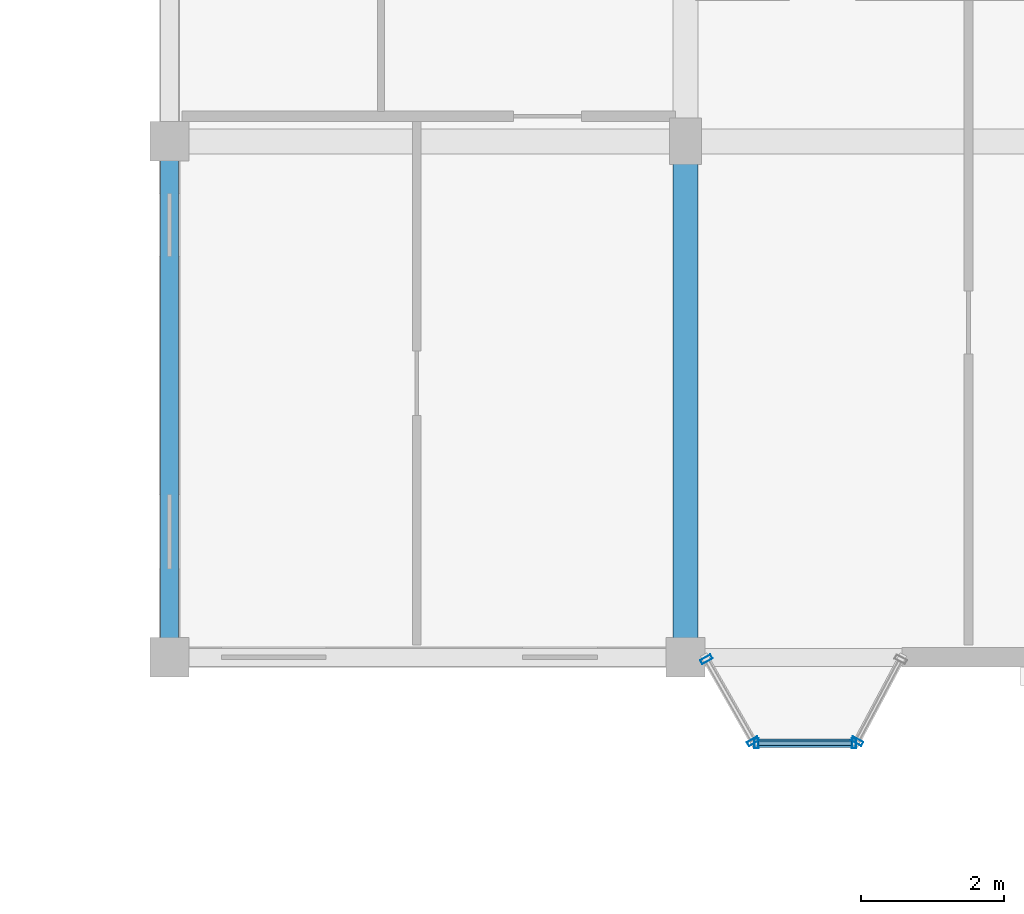
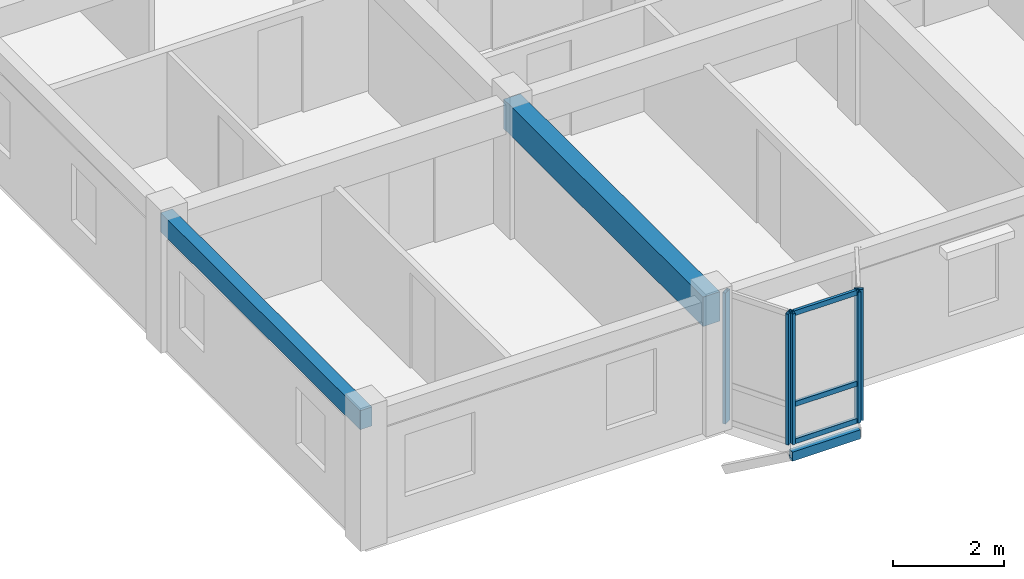
# One storey, part 32 of 77: 9 members, 2 beams, 3 elements without a shape of their own.
"""IFC4 building model written with IfcOpenShell, lengths in metres."""

from ifc_helpers import new_model, si_unit, direction, frame, origin, origin_2d, place, context, subcontext, project, spatial, rectangle, hollow_rectangle, extrude, material, layer, layer_set, material_profile, profile_set, type_object, element, aggregate, save


model = new_model("IFC4")

# Units and contexts
model_context = context("Model", 3, precision=1e-05, world=origin(), true_north=direction((0.0, 1.0)))
body_context = subcontext(model_context, "Body", "Model", "MODEL_VIEW")
ifc_project = project(units=[si_unit("LENGTHUNIT", "METRE"), si_unit("AREAUNIT", "SQUARE_METRE"), si_unit("VOLUMEUNIT", "CUBIC_METRE"), si_unit("PLANEANGLEUNIT", "RADIAN"), si_unit("MASSUNIT", "GRAM", prefix="KILO"), si_unit("THERMODYNAMICTEMPERATUREUNIT", "KELVIN"), si_unit("POWERUNIT", "WATT")], contexts=[model_context])

# Site, building, storey
site_placement = place(None, origin())
site = spatial("IfcSite", under=ifc_project, at=site_placement, CompositionType="ELEMENT")
building_placement = place(site_placement, origin())
building = spatial("IfcBuilding", under=site, at=building_placement, Name="Tavuni Mirador Residences", CompositionType="ELEMENT")
storey_placement = place(building_placement, frame((0.0, 0.0, 10.800048828125)))
storey = spatial("IfcBuildingStorey", under=building, at=storey_placement, Name="L03", CompositionType="ELEMENT", Elevation=10.800048828125)

# Beams
ifc_material_1 = material(Name="Precast concrete C40/50", Category="concrete")
ifc_material_profile_1 = material_profile(ifc_material_1, rectangle(XDim=0.35009765625, YDim=0.64990234375, at=origin_2d()), Name="PC 350x650", Category="concrete")
ifc_profile_set_1 = profile_set([ifc_material_profile_1], Name="Precast concrete C40/50")
beam_type_1 = type_object("IfcBeamType", Name="BT-B650", PredefinedType="BEAM", material=ifc_profile_set_1)
beam_1_placement = place(storey_placement, frame((18.0, 144.0, 2.56005859375), z_axis=(0.0, 1.0, 0.0), x_axis=(-1.0, 0.0, 0.0)))
element("IfcBeam", 1, at=beam_1_placement, inside=storey, type_object=beam_type_1, Name="BMY-BLK-C-L03-01-00", PredefinedType="BEAM", context=body_context, shape_type="SweptSolid", body=[
    extrude(rectangle(XDim=0.35009765625, YDim=0.64990234375, at=origin_2d()), origin(), (0.0, 0.0, 1.0), 7.199951171875),
])
ifc_material_profile_2 = material_profile(ifc_material_1, rectangle(XDim=0.25, YDim=0.419921875, at=origin_2d()), Name="PC 250x420", Category="concrete")
ifc_profile_set_2 = profile_set([ifc_material_profile_2], Name="Precast concrete C40/50")
beam_type_2 = type_object("IfcBeamType", Name="BT-SP420", PredefinedType="SPANDREL", material=ifc_profile_set_2)
beam_2_placement = place(storey_placement, frame((10.800048828125, 144.0, 2.675048828125), z_axis=(0.0, 1.0, 0.0), x_axis=(-1.0, 0.0, 0.0)))
element("IfcBeam", 2, at=beam_2_placement, inside=storey, type_object=beam_type_2, Name="BMY-BLK-C-L03-00-00", PredefinedType="SPANDREL", context=body_context, shape_type="SweptSolid", body=[
    extrude(rectangle(XDim=0.25, YDim=0.419921875, at=origin_2d()), origin(), (0.0, 0.0, 1.0), 7.199951171875),
])

# Curtain wall, members
ifc_material_2 = material(Name="Anodised aluminium", Category="aluminium")
ifc_layer_1 = layer(ifc_material_2, 0.1650390625, Name="Anodised aluminium", Category="aluminium")
ifc_layer_set_1 = layer_set([ifc_layer_1], Name="Anodised aluminium")
curtain_wall_type_1 = type_object("IfcCurtainWallType", Name="CWT-MIR-A", PredefinedType="NOTDEFINED", material=ifc_layer_set_1)
curtain_wall_1_placement = place(storey_placement, origin())
curtain_wall_1 = element("IfcCurtainWall", 3, at=curtain_wall_1_placement, inside=storey, type_object=curtain_wall_type_1, Name="CW-MIR-C-S1-L03-MF", PredefinedType="NOTDEFINED")
ifc_material_profile_3 = material_profile(ifc_material_2, hollow_rectangle(XDim=0.06005859375, YDim=0.139892578125, WallThickness=0.00390625, at=origin_2d()), Name="ALU 60x140x4.0", Category="aluminium")
ifc_profile_set_3 = profile_set([ifc_material_profile_3], Name="Anodised aluminium")
member_type_1 = type_object("IfcMemberType", Name="CWM-140", PredefinedType="MULLION", material=ifc_profile_set_3)
member_1_placement = place(storey_placement, frame((18.989990234375, 142.800048828125, 0.0), z_axis=(0.0, 0.0, 1.0), x_axis=(1.0, 0.0, 0.0)))
member_1 = element("IfcMember", 4, at=member_1_placement, type_object=member_type_1, Name="CW-01 mullion 1", PredefinedType="MULLION", context=body_context, shape_type="SweptSolid", body=[
    extrude(hollow_rectangle(XDim=0.06005859375, YDim=0.139892578125, WallThickness=0.00390625, at=origin_2d()), origin(), (0.0, 0.0, 1.0), 2.885009765625),
])
member_2_placement = place(storey_placement, frame((20.35009765625, 142.800048828125, 0.0), z_axis=(0.0, 0.0, 1.0), x_axis=(1.0, 0.0, 0.0)))
member_2 = element("IfcMember", 5, at=member_2_placement, type_object=member_type_1, Name="CW-01 mullion 2", PredefinedType="MULLION", context=body_context, shape_type="SweptSolid", body=[
    extrude(hollow_rectangle(XDim=0.06005859375, YDim=0.139892578125, WallThickness=0.00390625, at=origin_2d()), origin(), (0.0, 0.0, 1.0), 2.885009765625),
])

ifc_layer_2 = layer(ifc_material_2, 0.159912109375, Name="Anodised aluminium", Category="aluminium")
ifc_layer_set_2 = layer_set([ifc_layer_2], Name="Anodised aluminium")
curtain_wall_type_2 = type_object("IfcCurtainWallType", Name="CWT-MIR-D", PredefinedType="NOTDEFINED", material=ifc_layer_set_2)
curtain_wall_2_placement = place(storey_placement, origin())
curtain_wall_2 = element("IfcCurtainWall", 6, at=curtain_wall_2_placement, inside=storey, type_object=curtain_wall_type_2, Name="CW-MIR-C-S1-L03-M1", PredefinedType="NOTDEFINED")
ifc_material_profile_4 = material_profile(ifc_material_2, hollow_rectangle(XDim=0.06494140625, YDim=0.1650390625, WallThickness=0.00439453125, at=origin_2d()), Name="ALU 65x165x4.5", Category="aluminium")
ifc_profile_set_4 = profile_set([ifc_material_profile_4], Name="Anodised aluminium")
member_type_2 = type_object("IfcMemberType", Name="CWM-165", PredefinedType="MULLION", material=ifc_profile_set_4)
member_3_placement = place(storey_placement, frame((18.291015625, 143.9716796875, 0.0), z_axis=(0.0, 0.0, 1.0), x_axis=(0.495749192217, -0.868465738194, 0.0)))
member_3 = element("IfcMember", 7, at=member_3_placement, type_object=member_type_2, Name="CW-04 mullion 1", PredefinedType="MULLION", context=body_context, shape_type="SweptSolid", body=[
    extrude(hollow_rectangle(XDim=0.06494140625, YDim=0.1650390625, WallThickness=0.00439453125, at=origin_2d()), origin(), (0.0, 0.0, 1.0), 2.885009765625),
])
member_4_placement = place(storey_placement, frame((18.94384765625, 142.828125, 0.0), z_axis=(0.0, 0.0, 1.0), x_axis=(0.495749192217, -0.868465738194, 0.0)))
member_4 = element("IfcMember", 8, at=member_4_placement, type_object=member_type_2, Name="CW-04 mullion 2", PredefinedType="MULLION", context=body_context, shape_type="SweptSolid", body=[
    extrude(hollow_rectangle(XDim=0.06494140625, YDim=0.1650390625, WallThickness=0.00439453125, at=origin_2d()), origin(), (0.0, 0.0, 1.0), 2.885009765625),
])
aggregate(curtain_wall_2, [member_3, member_4])

# Curtain wall, member
ifc_layer_3 = layer(ifc_material_2, 0.14990234375, Name="Anodised aluminium", Category="aluminium")
ifc_layer_set_3 = layer_set([ifc_layer_3], Name="Anodised aluminium")
curtain_wall_type_3 = type_object("IfcCurtainWallType", Name="CWT-MIR-B", PredefinedType="NOTDEFINED", material=ifc_layer_set_3)
curtain_wall_3_placement = place(storey_placement, origin())
curtain_wall_3 = element("IfcCurtainWall", 9, at=curtain_wall_3_placement, inside=storey, type_object=curtain_wall_type_3, Name="CW-MIR-C-S1-L03-M2", PredefinedType="NOTDEFINED")
member_5_placement = place(storey_placement, frame((20.395263671875, 142.82861328125, 0.0), z_axis=(0.0, 0.0, 1.0), x_axis=(0.470588235296, 0.882352941175, 0.0)))
member_5 = element("IfcMember", 10, at=member_5_placement, type_object=member_type_2, Name="CW-02 mullion 1", PredefinedType="MULLION", context=body_context, shape_type="SweptSolid", body=[
    extrude(hollow_rectangle(XDim=0.06494140625, YDim=0.1650390625, WallThickness=0.00439453125, at=origin_2d()), origin(), (0.0, 0.0, 1.0), 2.885009765625),
])
aggregate(curtain_wall_3, [member_5])

# Member
ifc_material_profile_5 = material_profile(ifc_material_2, hollow_rectangle(XDim=0.06005859375, YDim=0.110107421875, WallThickness=0.00390625, at=origin_2d()), Name="ALU 60x110x4.0", Category="aluminium")
ifc_profile_set_5 = profile_set([ifc_material_profile_5], Name="Anodised aluminium")
member_type_3 = type_object("IfcMemberType", Name="CWT-110", PredefinedType="USERDEFINED", material=ifc_profile_set_5)
member_6_placement = place(storey_placement, frame((19.02001953125, 142.800048828125, 0.030029296875), z_axis=(1.0, 0.0, 0.0), x_axis=(0.0, 1.0, 0.0)))
member_6 = element("IfcMember", 11, at=member_6_placement, type_object=member_type_3, Name="CW-01 transom 1.1", ObjectType="TRANSOM", PredefinedType="USERDEFINED", context=body_context, shape_type="SweptSolid", body=[
    extrude(hollow_rectangle(XDim=0.06005859375, YDim=0.110107421875, WallThickness=0.00390625, at=origin_2d()), origin(), (0.0, 0.0, 1.0), 1.300048828125),
])

member_7_placement = place(storey_placement, frame((19.02001953125, 142.800048828125, 0.849853515625), z_axis=(1.0, 0.0, 0.0), x_axis=(0.0, 1.0, 0.0)))
member_7 = element("IfcMember", 12, at=member_7_placement, type_object=member_type_3, Name="CW-01 transom 1.2", ObjectType="TRANSOM", PredefinedType="USERDEFINED", context=body_context, shape_type="SweptSolid", body=[
    extrude(hollow_rectangle(XDim=0.06005859375, YDim=0.110107421875, WallThickness=0.00390625, at=origin_2d()), origin(), (0.0, 0.0, 1.0), 1.300048828125),
])

member_8_placement = place(storey_placement, frame((19.02001953125, 142.800048828125, 2.85498046875), z_axis=(1.0, 0.0, 0.0), x_axis=(0.0, 1.0, 0.0)))
member_8 = element("IfcMember", 13, at=member_8_placement, type_object=member_type_3, Name="CW-01 transom 1.3", ObjectType="TRANSOM", PredefinedType="USERDEFINED", context=body_context, shape_type="SweptSolid", body=[
    extrude(hollow_rectangle(XDim=0.06005859375, YDim=0.110107421875, WallThickness=0.00390625, at=origin_2d()), origin(), (0.0, 0.0, 1.0), 1.300048828125),
])

aggregate(curtain_wall_1, [member_1, member_2, member_6, member_7, member_8])

ifc_material_3 = material(Name="Structural steel S355", Category="steel")
ifc_material_profile_6 = material_profile(ifc_material_3, hollow_rectangle(XDim=0.1201171875, YDim=0.199951171875, WallThickness=0.010009765625, at=origin_2d()), Name="RHS 200x120x10.0", Category="steel")
ifc_profile_set_6 = profile_set([ifc_material_profile_6], Name="Structural steel S355")
member_type_4 = type_object("IfcMemberType", Name="MT-ST-RHS200", PredefinedType="STRUT", material=ifc_profile_set_6)
member_9_placement = place(storey_placement, frame((18.9599609375, 142.800048828125, -0.26513671875), z_axis=(1.0, 0.0, 0.0), x_axis=(0.0, 1.0, 0.0)))
element("IfcMember", 14, at=member_9_placement, inside=storey, type_object=member_type_4, Name="MRIM-MIR-C-S1-L03", PredefinedType="STRUT", context=body_context, shape_type="SweptSolid", body=[
    extrude(hollow_rectangle(XDim=0.1201171875, YDim=0.199951171875, WallThickness=0.010009765625, at=origin_2d()), origin(), (0.0, 0.0, 1.0), 1.419921875),
])

save(model, "model.ifc")
